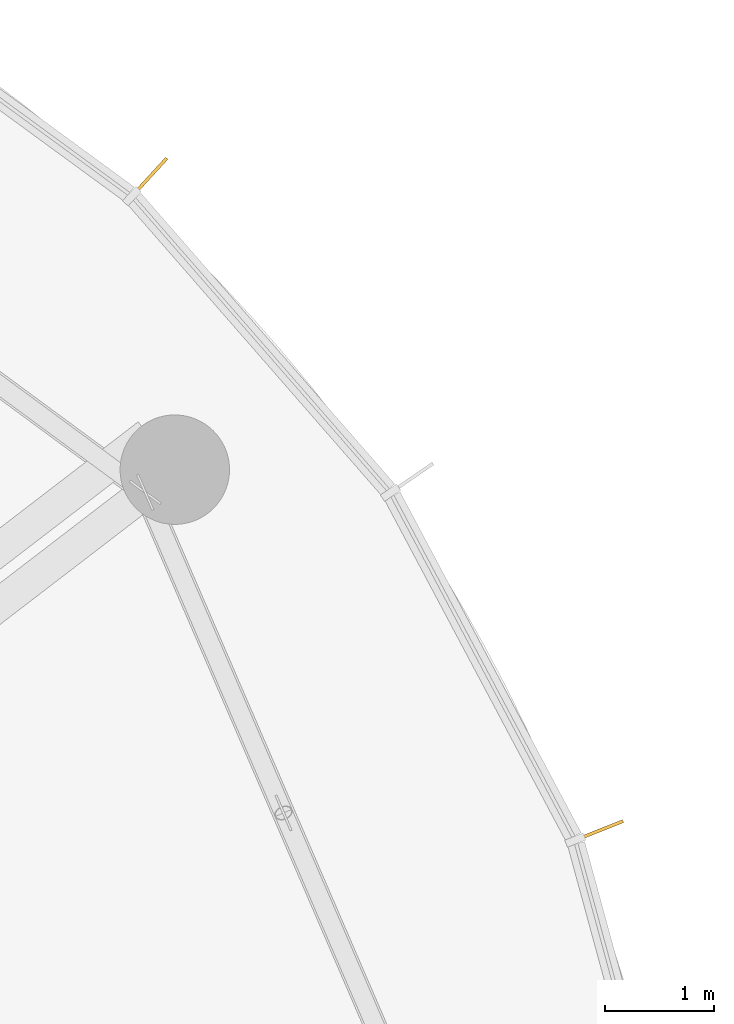
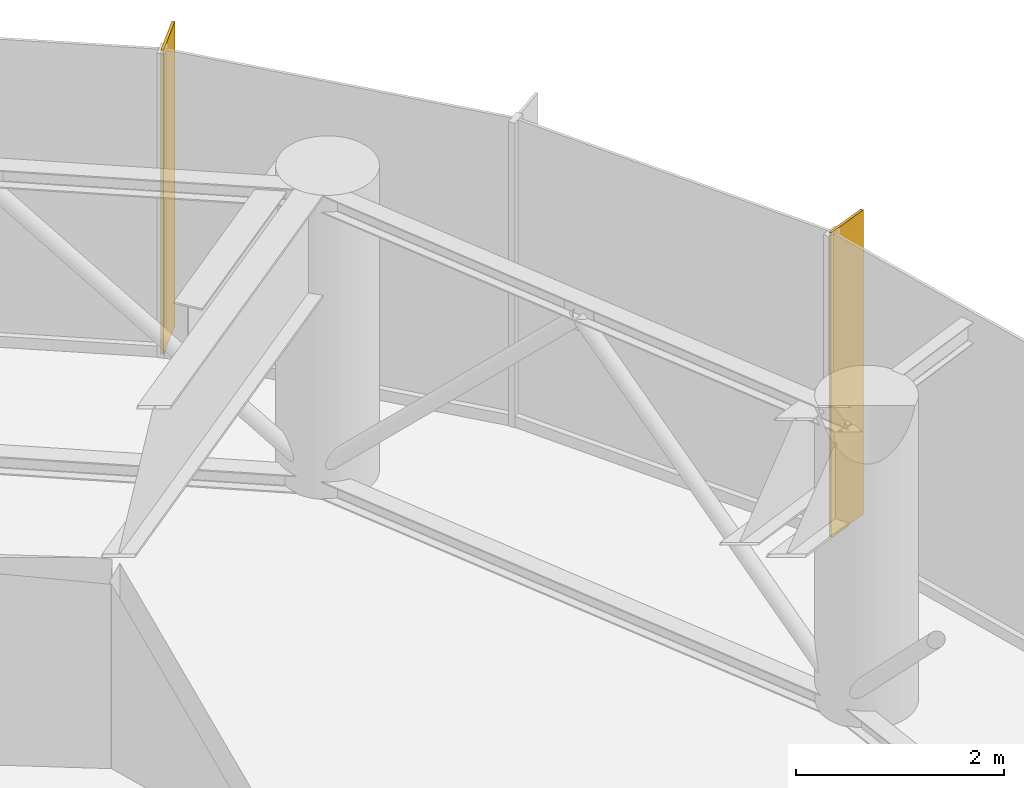
# One storey, part 25 of 25: 2 shading devices.
"""IFC4 building model written with IfcOpenShell, lengths in metres."""

import ifcopenshell
import ifcopenshell.guid

model = None  # the IFC model being written
_history = None  # IfcOwnerHistory: only IFC2X3 demands one
_inside = {}  # id of a spatial element -> (the spatial element, [elements in it])
_under = {}  # id of a project, library or spatial element -> (it, [spatial elements below it])
_declared = {}  # id of a project -> (the project, [libraries it declares])
_typed = {}  # id of a type object -> (the type object, [elements of that type])
_made_of = {}  # id of a material, layer set ... -> (it, [elements and type objects made of it])


def new_model(schema):
    """Start an empty IFC model of exactly this schema.

    Asked for "IFC4X3", IfcOpenShell would pick the latest addendum, in which some entities
    have other attributes; the version numbers below select the first issue.
    IFC2X3 requires an IfcOwnerHistory on every rooted entity: one is made here for all.
    """
    global model, _history
    if schema == "IFC4X3":
        model = ifcopenshell.file(schema_version=(4, 3, 0, 0))
    else:
        model = ifcopenshell.file(schema=schema)
    _inside.clear()
    _under.clear()
    _declared.clear()
    _typed.clear()
    _made_of.clear()
    _history = None
    if model.schema == "IFC2X3":
        org = make("IfcOrganization", Name="unknown")
        user = make(
            "IfcPersonAndOrganization",
            ThePerson=make("IfcPerson", FamilyName="unknown"),
            TheOrganization=org,
        )
        app = make(
            "IfcApplication",
            ApplicationDeveloper=org,
            Version="unknown",
            ApplicationFullName="unknown",
            ApplicationIdentifier="unknown",
        )
        _history = make(
            "IfcOwnerHistory",
            OwningUser=user,
            OwningApplication=app,
            ChangeAction="ADDED",
            CreationDate=0,
        )
    return model


def make(cls, **values):
    """One entity of the class cls with the attributes given. An attribute that is None is left unset."""
    return model.create_entity(
        cls, **{name: value for name, value in values.items() if value is not None}
    )


def rooted(cls, **values):
    """An entity with a GlobalId (a new one), such as an element, a storey or a relation."""
    return make(cls, GlobalId=ifcopenshell.guid.new(), OwnerHistory=_history, **values)


def si_unit(unit_type, name, prefix=None):
    """IfcSIUnit, for example si_unit("LENGTHUNIT", "METRE", prefix="MILLI")."""
    return make("IfcSIUnit", UnitType=unit_type, Prefix=prefix, Name=name)


def assignment(units):
    """IfcUnitAssignment: the units of a project."""
    return None if units is None else make("IfcUnitAssignment", Units=units)


def point(xyz):
    """IfcCartesianPoint."""
    return None if xyz is None else make("IfcCartesianPoint", Coordinates=xyz)


def direction(xyz):
    """IfcDirection."""
    return None if xyz is None else make("IfcDirection", DirectionRatios=xyz)


def frame(location, z_axis=None, x_axis=None):
    """IfcAxis2Placement3D, a coordinate frame: its origin and axes. An axis left out is left unset."""
    return make(
        "IfcAxis2Placement3D",
        Location=point(location),
        Axis=direction(z_axis),
        RefDirection=direction(x_axis),
    )


def frame_2d(location, x_axis=None):
    """IfcAxis2Placement2D, a coordinate frame in the plane: its origin and x axis."""
    return make(
        "IfcAxis2Placement2D", Location=point(location), RefDirection=direction(x_axis)
    )


def origin():
    """The frame at (0, 0, 0) with its axes left unset."""
    return frame((0.0, 0.0, 0.0))


def origin_2d():
    """The frame at (0, 0) in the plane with its x axis left unset."""
    return frame_2d((0.0, 0.0))


def place(relative_to, where):
    """IfcLocalPlacement: puts the frame where relative to a parent placement (None: the world)."""
    return make(
        "IfcLocalPlacement", PlacementRelTo=relative_to, RelativePlacement=where
    )


def context(
    kind, dimensions, precision=None, world=None, true_north=None, identifier=None
):
    """IfcGeometricRepresentationContext, for example the 3D "Model" context."""
    return make(
        "IfcGeometricRepresentationContext",
        ContextIdentifier=identifier,
        ContextType=kind,
        CoordinateSpaceDimension=dimensions,
        Precision=precision,
        WorldCoordinateSystem=world,
        TrueNorth=true_north,
    )


def subcontext(parent, identifier, kind, view, scale=None):
    """IfcGeometricRepresentationSubContext, for example "Body" below "Model"."""
    return make(
        "IfcGeometricRepresentationSubContext",
        ContextIdentifier=identifier,
        ContextType=kind,
        ParentContext=parent,
        TargetScale=scale,
        TargetView=view,
    )


def project(units=None, contexts=None):
    """IfcProject with its units and contexts."""
    return rooted(
        "IfcProject",
        Name="project",
        RepresentationContexts=contexts,
        UnitsInContext=assignment(units),
    )


def spatial(cls, under=None, at=None, **own):
    """A site, building, storey or space (cls), placed at a placement, below another one or the project."""
    s = rooted(cls, ObjectPlacement=at, **own)
    if under is not None:
        _under.setdefault(under.id(), (under, []))[1].append(s)
    return s


def profile(cls, at=None, kind="AREA", **sizes):
    """A parametric profile (cls). Its sizes go by their IFC names, for example OverallWidth=200.0."""
    return make(cls, ProfileType=kind, Position=at, **sizes)


def rectangle(**sizes):
    """IfcRectangleProfileDef."""
    return profile("IfcRectangleProfileDef", **sizes)


def extrude(swept, where, along, depth):
    """IfcExtrudedAreaSolid: the profile swept, set in the frame where, extruded along a direction by depth."""
    return make(
        "IfcExtrudedAreaSolid",
        SweptArea=swept,
        Position=where,
        ExtrudedDirection=direction(along),
        Depth=depth,
    )


def shape(context_of_items, identifier, shape_type, items):
    """IfcShapeRepresentation: the items that make up one representation, for example the "Body"."""
    return make(
        "IfcShapeRepresentation",
        ContextOfItems=context_of_items,
        RepresentationIdentifier=identifier,
        RepresentationType=shape_type,
        Items=items,
    )


def source(mapping_origin, context_of_items, identifier, shape_type, items):
    """IfcRepresentationMap: a shape defined once, which mapped items show again and again."""
    return make(
        "IfcRepresentationMap",
        MappingOrigin=mapping_origin,
        MappedRepresentation=shape(context_of_items, identifier, shape_type, items),
    )


def transform(
    local_origin,
    x_axis=None,
    y_axis=None,
    z_axis=None,
    scale=None,
    scale2=None,
    scale3=None,
    uniform=True,
):
    """IfcCartesianTransformationOperator3D, or its non-uniform kind. x_axis, y_axis, z_axis: its Axis1, 2, 3."""
    if uniform:
        return make(
            "IfcCartesianTransformationOperator3D",
            Axis1=direction(x_axis),
            Axis2=direction(y_axis),
            LocalOrigin=point(local_origin),
            Scale=scale,
            Axis3=direction(z_axis),
        )
    return make(
        "IfcCartesianTransformationOperator3DnonUniform",
        Axis1=direction(x_axis),
        Axis2=direction(y_axis),
        LocalOrigin=point(local_origin),
        Scale=scale,
        Axis3=direction(z_axis),
        Scale2=scale2,
        Scale3=scale3,
    )


def mapped(mapping_source, mapping_target):
    """IfcMappedItem: shows the shape of a source again, moved by a transform."""
    return make(
        "IfcMappedItem", MappingSource=mapping_source, MappingTarget=mapping_target
    )


def material(Name=None, Category=None):
    """IfcMaterial."""
    return make("IfcMaterial", Name=Name, Category=Category)


def material_profile(
    of_material, cross_section, Name=None, Category=None, Priority=None
):
    """IfcMaterialProfile: a cross section and its material."""
    return make(
        "IfcMaterialProfile",
        Name=Name,
        Material=of_material,
        Profile=cross_section,
        Priority=Priority,
        Category=Category,
    )


def profile_set(profiles, Name=None, composite=None):
    """IfcMaterialProfileSet."""
    return make(
        "IfcMaterialProfileSet",
        Name=Name,
        MaterialProfiles=profiles,
        CompositeProfile=composite,
    )


def made_of(thing, what):
    """Note that an element or type object is made of a material, layer set ...; save() writes the relation."""
    if what is not None:
        _made_of.setdefault(what.id(), (what, []))[1].append(thing)
    return thing


def type_object(cls, material=None, **own):
    """A type object (cls), such as IfcWallType, which elements share."""
    return made_of(rooted(cls, **own), material)


def element(
    cls,
    number,
    at=None,
    inside=None,
    cuts=None,
    type_object=None,
    material=None,
    context=None,
    identifier="Body",
    shape_type=None,
    held_by="IfcProductDefinitionShape",
    body=None,
    shapes=None,
    **own,
):
    """One element of the class cls, such as IfcWall. Its Tag is "e" and its number.

    at: its placement. inside: the storey or other place that contains it. cuts: it is an
    opening in that element (IfcRelVoidsElement). A single representation is given by context,
    identifier, shape_type and body (its items); several are given by shapes. held_by: the class
    of the entity that holds the representations. save() writes the other relations.
    """
    e = rooted(cls, Tag="e%d" % number, ObjectPlacement=at, **own)
    if body is not None:
        shapes = [shape(context, identifier, shape_type, body)]
    if shapes is not None:
        e.Representation = make(held_by, Representations=shapes)
    if inside is not None:
        _inside.setdefault(inside.id(), (inside, []))[1].append(e)
    if cuts is not None:
        rooted(
            "IfcRelVoidsElement", RelatingBuildingElement=cuts, RelatedOpeningElement=e
        )
    if type_object is not None:
        _typed.setdefault(type_object.id(), (type_object, []))[1].append(e)
    return made_of(e, material)


def aggregate(whole, parts):
    """IfcRelAggregates: a whole, such as a stair, and the parts it consists of."""
    return rooted("IfcRelAggregates", RelatingObject=whole, RelatedObjects=parts)


def save(model, path):
    """Write the relations noted so far, then the file.

    IfcRelAggregates (storeys below a building ...), IfcRelContainedInSpatialStructure (elements
    in a storey), IfcRelDefinesByType, IfcRelAssociatesMaterial and IfcRelDeclares: one each for
    every whole, place, type object, material and project.
    """
    for whole, parts in _under.values():
        aggregate(whole, parts)
    for where, things in _inside.values():
        rooted(
            "IfcRelContainedInSpatialStructure",
            RelatedElements=things,
            RelatingStructure=where,
        )
    for kind, things in _typed.values():
        rooted("IfcRelDefinesByType", RelatedObjects=things, RelatingType=kind)
    for what, things in _made_of.values():
        rooted("IfcRelAssociatesMaterial", RelatedObjects=things, RelatingMaterial=what)
    for by, libraries in _declared.values():
        rooted("IfcRelDeclares", RelatingContext=by, RelatedDefinitions=libraries)
    model.write(path)


model = new_model("IFC4")

# Units and contexts
model_context = context("Model", 3, precision=1e-05, world=origin(), true_north=direction((0.0, 1.0)))
body_context = subcontext(model_context, "Body", "Model", "MODEL_VIEW")
ifc_project = project(units=[si_unit("LENGTHUNIT", "METRE"), si_unit("AREAUNIT", "SQUARE_METRE"), si_unit("VOLUMEUNIT", "CUBIC_METRE"), si_unit("PLANEANGLEUNIT", "RADIAN"), si_unit("MASSUNIT", "GRAM", prefix="KILO")], contexts=[model_context])

# Site, building, storey
site_placement = place(None, origin())
site = spatial("IfcSite", under=ifc_project, at=site_placement, CompositionType="ELEMENT")
building_placement = place(site_placement, origin())
building = spatial("IfcBuilding", under=site, at=building_placement, Name="Spindrift Exchange Tower", CompositionType="ELEMENT")
storey_placement = place(building_placement, frame((0.0, 0.0, 179.89990234375)))
storey = spatial("IfcBuildingStorey", under=building, at=storey_placement, Name="L43", CompositionType="ELEMENT", Elevation=179.89990234375)

# Shading devices
ifc_material = material(Name="Bronze anodised aluminium", Category="aluminium")
ifc_material_profile = material_profile(ifc_material, rectangle(XDim=0.030029296875, YDim=0.5, at=origin_2d()), Name="WIND FIN 30X500")
ifc_profile_set = profile_set([ifc_material_profile], Name="Bronze anodised aluminium")
shading_device_type = type_object("IfcShadingDeviceType", Name="WIND FIN 30X500", PredefinedType="USERDEFINED", material=ifc_profile_set)
shared_shape = source(origin(), body_context, "Body", "SweptSolid", [
    extrude(rectangle(XDim=0.030029296875, YDim=0.5, at=origin_2d()), origin(), (0.0, 0.0, 1.0), 3.580078125),
])
for number, where, z_axis, x_axis, name in (
    (1, (71.58349609375, 65.873779296875, 0.0), (0.0, 0.0, 1.0), (-0.736748862432, 0.676166483719, 0.0), "L43 wind fin 3"),
    (2, (75.688720703125, 59.909423828125, 0.0), (0.0, 0.0, 1.0), (-0.368488024149, 0.929632495161, 0.0), "L43 wind fin 4"),
):
    element("IfcShadingDevice", number, at=place(storey_placement, frame(where, z_axis=z_axis, x_axis=x_axis)), inside=storey, type_object=shading_device_type, Name=name, ObjectType="FIN", PredefinedType="USERDEFINED", context=body_context, shape_type="MappedRepresentation", body=[
        mapped(shared_shape, transform((0.0, 0.0, 0.0), scale=1.0)),
    ])

save(model, "model.ifc")
